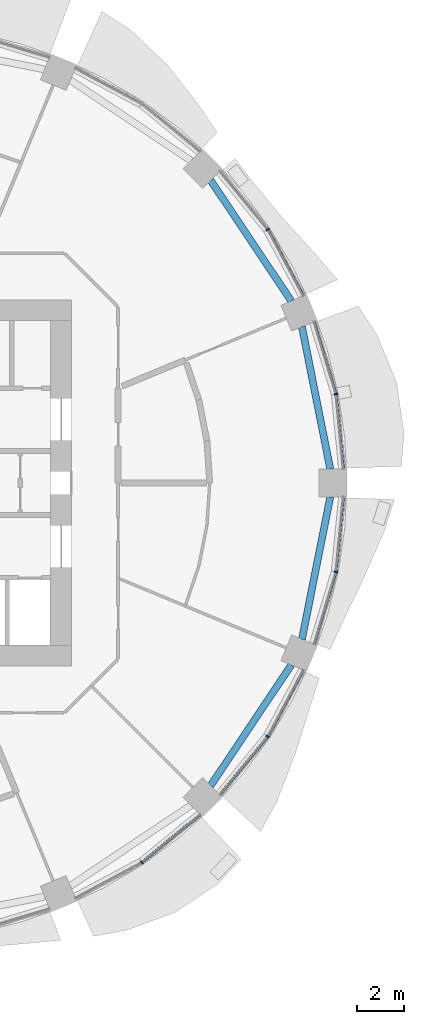
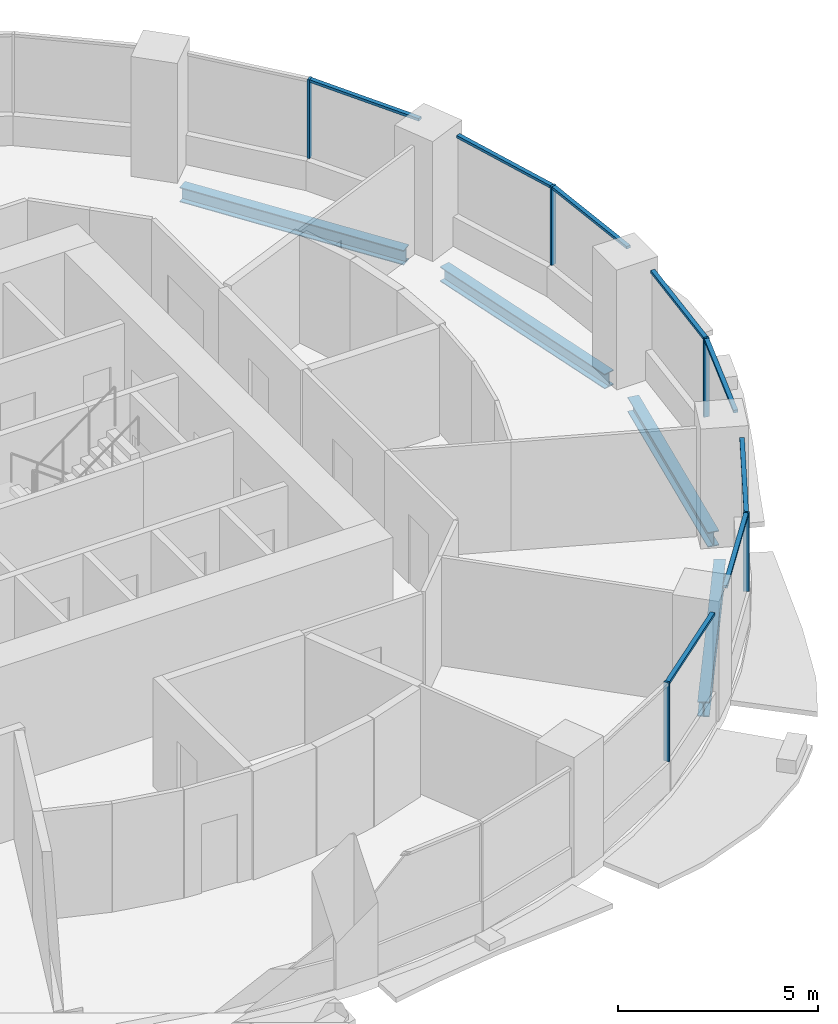
# One storey, part 5 of 15: 13 members, 4 beams, 5 elements without a shape of their own.
"""IFC4 building model written with IfcOpenShell, lengths in metres."""

from ifc_helpers import new_model, si_unit, direction, frame, origin, origin_2d, place, context, subcontext, project, spatial, rectangle, i_section, extrude, material, material_profile, profile_set, type_object, element, aggregate, save


model = new_model("IFC4")

# Units and contexts
model_context = context("Model", 3, precision=1e-05, world=origin(), true_north=direction((0.0, 1.0)))
body_context = subcontext(model_context, "Body", "Model", "MODEL_VIEW")
ifc_project = project(units=[si_unit("LENGTHUNIT", "METRE"), si_unit("AREAUNIT", "SQUARE_METRE"), si_unit("VOLUMEUNIT", "CUBIC_METRE"), si_unit("PLANEANGLEUNIT", "RADIAN"), si_unit("MASSUNIT", "GRAM", prefix="KILO")], contexts=[model_context])

# Site, building, storey
site_placement = place(None, origin())
site = spatial("IfcSite", under=ifc_project, at=site_placement, CompositionType="ELEMENT")
building_placement = place(site_placement, origin())
building = spatial("IfcBuilding", under=site, at=building_placement, Name="Polderwave Tower", CompositionType="ELEMENT")
storey_placement = place(building_placement, frame((0.0, 0.0, 40.800048828125)))
storey = spatial("IfcBuildingStorey", under=building, at=storey_placement, Name="L10", CompositionType="ELEMENT", Elevation=40.800048828125)

# Curtain wall, member
ifc_material_1 = material(Name="Aluminium 6063-T6 and glass", Category="aluminium")
curtain_wall_type = type_object("IfcCurtainWallType", Name="Growing floor ribbon glazing wall", PredefinedType="NOTDEFINED", material=ifc_material_1)
curtain_wall_1_placement = place(storey_placement, origin())
curtain_wall_1 = element("IfcCurtainWall", 1, at=curtain_wall_1_placement, inside=storey, type_object=curtain_wall_type, Name="CW2 L10 00", PredefinedType="NOTDEFINED")
ifc_material_2 = material(Name="Aluminium 6063-T6", Category="aluminium")
ifc_material_profile_1 = material_profile(ifc_material_2, rectangle(XDim=0.14990234375, YDim=0.06005859375, at=origin_2d()), Name="AL 60x150")
ifc_profile_set_1 = profile_set([ifc_material_profile_1], Name="Aluminium 6063-T6")
member_type_1 = type_object("IfcMemberType", Name="Growing floor ribbon glazing mullion 60x150", PredefinedType="MULLION", material=ifc_profile_set_1)
member_1_placement = place(storey_placement, frame((19.23291015625, 3.825927734375, 0.89990234375), z_axis=(0.0, 0.0, 1.0), x_axis=(-0.980767911179, -0.195177622698, 0.0)))
member_1 = element("IfcMember", 2, at=member_1_placement, type_object=member_type_1, Name="CW2 mullion 1", PredefinedType="MULLION", context=body_context, shape_type="SweptSolid", body=[
    extrude(rectangle(XDim=0.14990234375, YDim=0.06005859375, at=origin_2d()), origin(), (0.0, 0.0, 1.0), 2.400146484375),
])

curtain_wall_2_placement = place(storey_placement, origin())
curtain_wall_2 = element("IfcCurtainWall", 3, at=curtain_wall_2_placement, inside=storey, type_object=curtain_wall_type, Name="CW2 L10 01", PredefinedType="NOTDEFINED")
member_2_placement = place(storey_placement, frame((16.304931640625, 10.89501953125, 0.89990234375), z_axis=(0.0, 0.0, 1.0), x_axis=(-0.831468642648, -0.555571684207, 0.0)))
member_2 = element("IfcMember", 4, at=member_2_placement, type_object=member_type_1, Name="CW2 mullion 1", PredefinedType="MULLION", context=body_context, shape_type="SweptSolid", body=[
    extrude(rectangle(XDim=0.14990234375, YDim=0.06005859375, at=origin_2d()), origin(), (0.0, 0.0, 1.0), 2.400146484375),
])

curtain_wall_3_placement = place(storey_placement, origin())
curtain_wall_3 = element("IfcCurtainWall", 5, at=curtain_wall_3_placement, inside=storey, type_object=curtain_wall_type, Name="CW2 L10 13", PredefinedType="NOTDEFINED")
member_3_placement = place(storey_placement, frame((10.89501953125, -16.304931640625, 0.89990234375), z_axis=(0.0, 0.0, 1.0), x_axis=(-0.555571684207, 0.831468642648, 0.0)))
member_3 = element("IfcMember", 6, at=member_3_placement, type_object=member_type_1, Name="CW2 mullion 1", PredefinedType="MULLION", context=body_context, shape_type="SweptSolid", body=[
    extrude(rectangle(XDim=0.14990234375, YDim=0.06005859375, at=origin_2d()), origin(), (0.0, 0.0, 1.0), 2.400146484375),
])

curtain_wall_4_placement = place(storey_placement, origin())
curtain_wall_4 = element("IfcCurtainWall", 7, at=curtain_wall_4_placement, inside=storey, type_object=curtain_wall_type, Name="CW2 L10 14", PredefinedType="NOTDEFINED")
member_4_placement = place(storey_placement, frame((16.304931640625, -10.89501953125, 0.89990234375), z_axis=(0.0, 0.0, 1.0), x_axis=(-0.831468642648, 0.555571684207, 0.0)))
member_4 = element("IfcMember", 8, at=member_4_placement, type_object=member_type_1, Name="CW2 mullion 1", PredefinedType="MULLION", context=body_context, shape_type="SweptSolid", body=[
    extrude(rectangle(XDim=0.14990234375, YDim=0.06005859375, at=origin_2d()), origin(), (0.0, 0.0, 1.0), 2.400146484375),
])

curtain_wall_5_placement = place(storey_placement, origin())
curtain_wall_5 = element("IfcCurtainWall", 9, at=curtain_wall_5_placement, inside=storey, type_object=curtain_wall_type, Name="CW2 L10 15", PredefinedType="NOTDEFINED")
member_5_placement = place(storey_placement, frame((19.23291015625, -3.825927734375, 0.89990234375), z_axis=(0.0, 0.0, 1.0), x_axis=(-0.980767911179, 0.195177622698, 0.0)))
member_5 = element("IfcMember", 10, at=member_5_placement, type_object=member_type_1, Name="CW2 mullion 1", PredefinedType="MULLION", context=body_context, shape_type="SweptSolid", body=[
    extrude(rectangle(XDim=0.14990234375, YDim=0.06005859375, at=origin_2d()), origin(), (0.0, 0.0, 1.0), 2.400146484375),
])

# Member
ifc_material_profile_2 = material_profile(ifc_material_2, rectangle(XDim=0.1201171875, YDim=0.080078125, at=origin_2d()), Name="AL 80x120")
ifc_profile_set_2 = profile_set([ifc_material_profile_2], Name="Aluminium 6063-T6")
member_type_2 = type_object("IfcMemberType", Name="Growing floor ribbon glazing transom 80x120", PredefinedType="USERDEFINED", material=ifc_profile_set_2)
member_6_placement = place(storey_placement, frame((19.551025390625, 0.60009765625, 3.260009765625), z_axis=(-0.098141294442, 0.99517249074, 0.0), x_axis=(-0.99517249074, -0.098141294442, 0.0)))
member_6 = element("IfcMember", 11, at=member_6_placement, type_object=member_type_2, Name="CW2 transom 1", ObjectType="TRANSOM", PredefinedType="USERDEFINED", context=body_context, shape_type="SweptSolid", body=[
    extrude(rectangle(XDim=0.1201171875, YDim=0.080078125, at=origin_2d()), origin(), (0.0, 0.0, 1.0), 3.211669921875),
])

member_7_placement = place(storey_placement, frame((19.224365234375, 3.854736328125, 3.260009765625), z_axis=(-0.290402031143, 0.956904728961, 0.0), x_axis=(-0.956904728961, -0.290402031143, 0.0)))
member_7 = element("IfcMember", 12, at=member_7_placement, type_object=member_type_2, Name="CW2 transom 2", ObjectType="TRANSOM", PredefinedType="USERDEFINED", context=body_context, shape_type="SweptSolid", body=[
    extrude(rectangle(XDim=0.1201171875, YDim=0.080078125, at=origin_2d()), origin(), (0.0, 0.0, 1.0), 3.210693359375),
])

aggregate(curtain_wall_1, [member_1, member_6, member_7])

member_8_placement = place(storey_placement, frame((17.8330078125, 8.035888671875, 3.260009765625), z_axis=(-0.471373193578, 0.881933848072, 0.0), x_axis=(-0.881933848072, -0.471373193578, 0.0)))
member_8 = element("IfcMember", 13, at=member_8_placement, type_object=member_type_2, Name="CW2 transom 1", ObjectType="TRANSOM", PredefinedType="USERDEFINED", context=body_context, shape_type="SweptSolid", body=[
    extrude(rectangle(XDim=0.1201171875, YDim=0.080078125, at=origin_2d()), origin(), (0.0, 0.0, 1.0), 3.211669921875),
])

aggregate(curtain_wall_2, [member_2, member_8])

member_9_placement = place(storey_placement, frame((10.918212890625, -16.285888671875, 3.260009765625), z_axis=(0.772980616228, 0.634429639074, 0.0), x_axis=(-0.634429639074, 0.772980616228, 0.0)))
member_9 = element("IfcMember", 14, at=member_9_placement, type_object=member_type_2, Name="CW2 transom 2", ObjectType="TRANSOM", PredefinedType="USERDEFINED", context=body_context, shape_type="SweptSolid", body=[
    extrude(rectangle(XDim=0.1201171875, YDim=0.080078125, at=origin_2d()), origin(), (0.0, 0.0, 1.0), 3.21044921875),
])

aggregate(curtain_wall_3, [member_3, member_9])

member_10_placement = place(storey_placement, frame((14.2490234375, -13.39990234375, 3.260009765625), z_axis=(0.634429639074, 0.772980616228, 0.0), x_axis=(-0.772980616228, 0.634429639074, 0.0)))
member_10 = element("IfcMember", 15, at=member_10_placement, type_object=member_type_2, Name="CW2 transom 1", ObjectType="TRANSOM", PredefinedType="USERDEFINED", context=body_context, shape_type="SweptSolid", body=[
    extrude(rectangle(XDim=0.1201171875, YDim=0.080078125, at=origin_2d()), origin(), (0.0, 0.0, 1.0), 3.21044921875),
])

member_11_placement = place(storey_placement, frame((16.319091796875, -10.868408203125, 3.260009765625), z_axis=(0.471373193578, 0.881933848072, 0.0), x_axis=(-0.881933848072, 0.471373193578, 0.0)))
member_11 = element("IfcMember", 16, at=member_11_placement, type_object=member_type_2, Name="CW2 transom 2", ObjectType="TRANSOM", PredefinedType="USERDEFINED", context=body_context, shape_type="SweptSolid", body=[
    extrude(rectangle(XDim=0.1201171875, YDim=0.080078125, at=origin_2d()), origin(), (0.0, 0.0, 1.0), 3.211669921875),
])

aggregate(curtain_wall_4, [member_4, member_10, member_11])

member_12_placement = place(storey_placement, frame((18.2919921875, -6.927001953125, 3.260009765625), z_axis=(0.290402031143, 0.956904728961, 0.0), x_axis=(-0.956904728961, 0.290402031143, 0.0)))
member_12 = element("IfcMember", 17, at=member_12_placement, type_object=member_type_2, Name="CW2 transom 1", ObjectType="TRANSOM", PredefinedType="USERDEFINED", context=body_context, shape_type="SweptSolid", body=[
    extrude(rectangle(XDim=0.1201171875, YDim=0.080078125, at=origin_2d()), origin(), (0.0, 0.0, 1.0), 3.210693359375),
])

member_13_placement = place(storey_placement, frame((19.23583984375, -3.796142578125, 3.260009765625), z_axis=(0.098141294442, 0.99517249074, 0.0), x_axis=(-0.99517249074, 0.098141294442, 0.0)))
member_13 = element("IfcMember", 18, at=member_13_placement, type_object=member_type_2, Name="CW2 transom 2", ObjectType="TRANSOM", PredefinedType="USERDEFINED", context=body_context, shape_type="SweptSolid", body=[
    extrude(rectangle(XDim=0.1201171875, YDim=0.080078125, at=origin_2d()), origin(), (0.0, 0.0, 1.0), 3.211669921875),
])

aggregate(curtain_wall_5, [member_5, member_12, member_13])

# Beams
ifc_material_3 = material(Name="Steel S355", Category="steel")
ifc_material_profile_3 = material_profile(ifc_material_3, i_section(OverallWidth=0.300048828125, OverallDepth=0.449951171875, WebThickness=0.013916015625, FlangeThickness=0.02587890625, at=origin_2d()), Name="HE 450 B")
ifc_profile_set_3 = profile_set([ifc_material_profile_3], Name="Steel S355")
beam_type = type_object("IfcBeamType", Name="RING BEAM HE 450 B", PredefinedType="BEAM", material=ifc_profile_set_3)
beam_1_placement = place(storey_placement, frame((18.99072265625, 0.60009765625, -0.574951171875), z_axis=(-0.195106645934, 0.980782033233, 0.0), x_axis=(-0.980782033233, -0.195106645934, 0.0)))
element("IfcBeam", 19, at=beam_1_placement, inside=storey, type_object=beam_type, Name="ST-RB-L10-00", PredefinedType="BEAM", context=body_context, shape_type="SweptSolid", body=[
    extrude(i_section(OverallWidth=0.300048828125, OverallDepth=0.449951171875, WebThickness=0.013916015625, FlangeThickness=0.02587890625, at=origin_2d()), origin(), (0.0, 0.0, 1.0), 6.23291015625),
])
for number, where, z_axis, x_axis, name in (
    (20, (17.3154296875, 7.82177734375, -0.574951171875), (-0.555558644, 0.831477355721, 0.0), (-0.831477355721, -0.555558644, 0.0), "ST-RB-L10-01"),
    (21, (13.852783203125, -13.004150390625, -0.574951171875), (0.555558644, 0.831477355721, 0.0), (-0.831477355721, 0.555558644, 0.0), "ST-RB-L10-14"),
):
    element("IfcBeam", number, at=place(storey_placement, frame(where, z_axis=z_axis, x_axis=x_axis)), inside=storey, type_object=beam_type, Name=name, PredefinedType="BEAM", context=body_context, shape_type="SweptSolid", body=[
        extrude(i_section(OverallWidth=0.300048828125, OverallDepth=0.449951171875, WebThickness=0.013916015625, FlangeThickness=0.02587890625, at=origin_2d()), origin(), (0.0, 0.0, 1.0), 6.232666015625),
    ])
beam_2_placement = place(storey_placement, frame((17.774658203125, -6.713134765625, -0.574951171875), z_axis=(0.195106645934, 0.980782033233, 0.0), x_axis=(-0.980782033233, 0.195106645934, 0.0)))
element("IfcBeam", 22, at=beam_2_placement, inside=storey, type_object=beam_type, Name="ST-RB-L10-15", PredefinedType="BEAM", context=body_context, shape_type="SweptSolid", body=[
    extrude(i_section(OverallWidth=0.300048828125, OverallDepth=0.449951171875, WebThickness=0.013916015625, FlangeThickness=0.02587890625, at=origin_2d()), origin(), (0.0, 0.0, 1.0), 6.23291015625),
])

save(model, "model.ifc")
